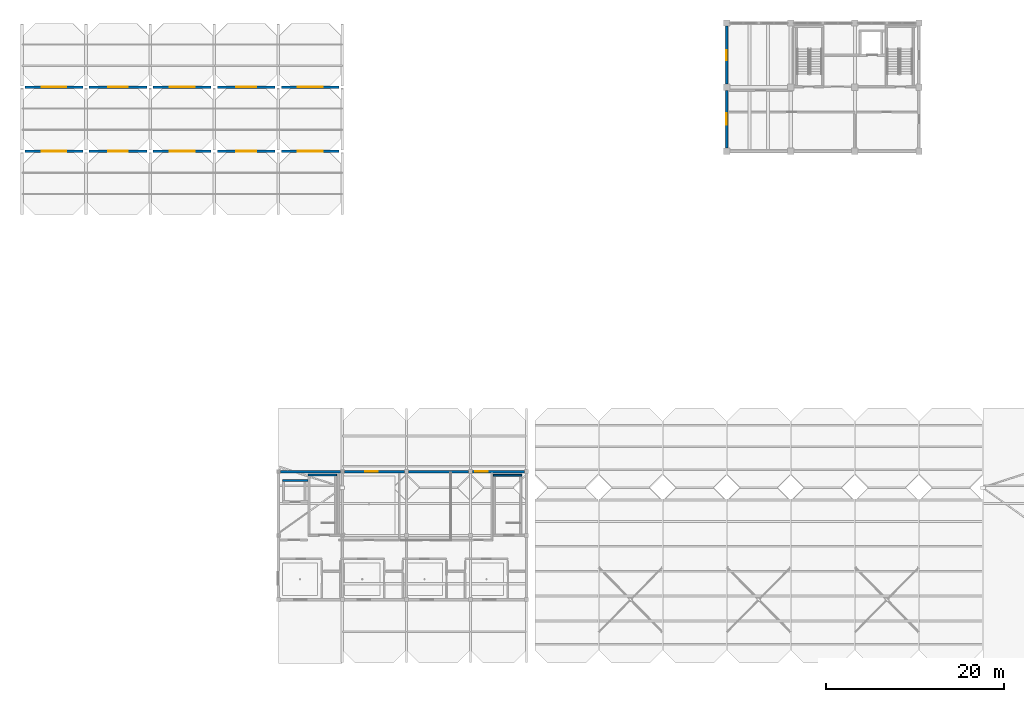
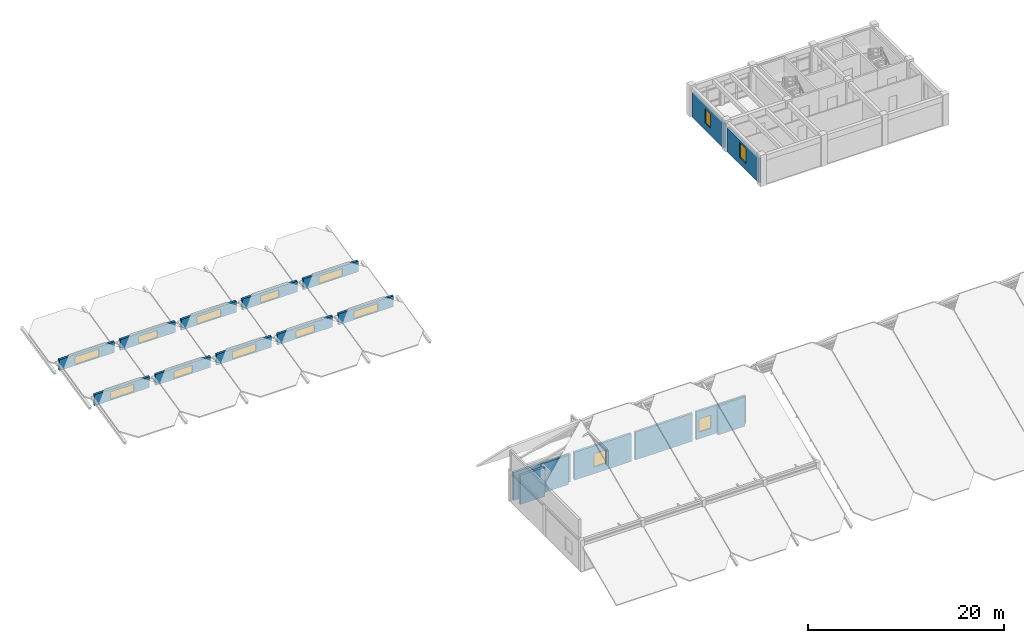
# One storey, part 40 of 54: 19 walls, 14 windows, 14 openings.
"""IFC4 building model written with IfcOpenShell, lengths in metres."""

from ifc_helpers import new_model, si_unit, direction, frame, frame_2d, origin, place, context, subcontext, project, spatial, rectangle, extrude, material, layer, layer_set, type_object, element, fill, save


model = new_model("IFC4")

# Units and contexts
model_context = context("Model", 3, precision=1e-05, world=origin(), true_north=direction((0.0, 1.0)))
body_context = subcontext(model_context, "Body", "Model", "MODEL_VIEW")
ifc_project = project(units=[si_unit("LENGTHUNIT", "METRE"), si_unit("AREAUNIT", "SQUARE_METRE"), si_unit("VOLUMEUNIT", "CUBIC_METRE"), si_unit("PLANEANGLEUNIT", "RADIAN"), si_unit("MASSUNIT", "GRAM", prefix="KILO")], contexts=[model_context])

# Site, building, storey
site_placement = place(None, origin())
site = spatial("IfcSite", under=ifc_project, at=site_placement, CompositionType="ELEMENT")
building_placement = place(site_placement, origin())
building = spatial("IfcBuilding", under=site, at=building_placement, Name="Koriwan Promenade Central Fire Station", CompositionType="ELEMENT")
storey_placement = place(building_placement, frame((0.0, 0.0, 9.60009765625)))
storey = spatial("IfcBuildingStorey", under=building, at=storey_placement, Name="L02", CompositionType="ELEMENT", Elevation=9.60009765625)

# Wall, opening, window
ifc_material_1 = material(Name="Precast concrete C40/50", Category="concrete")
ifc_layer_1 = layer(ifc_material_1, 0.280029296875, Name="Precast concrete C40/50")
ifc_layer_set_1 = layer_set([ifc_layer_1], Name="Precast concrete C40/50")
wall_type_1 = type_object("IfcWallType", Name="ExtWall_Terracotta_280", PredefinedType="ELEMENTEDWALL", material=ifc_layer_set_1)
wall_1_placement = place(storey_placement, frame((79.199951171875, 114.85009765625, 0.0), z_axis=(0.0, 0.0, 1.0), x_axis=(0.0, -1.0, 0.0)))
wall_1 = element("IfcWall", 1, at=wall_1_placement, inside=storey, type_object=wall_type_1, Name="V2 L02 exterior wall 76", PredefinedType="ELEMENTEDWALL", context=body_context, shape_type="SweptSolid", body=[
    extrude(rectangle(XDim=6.5, YDim=0.280029296875, at=frame_2d((3.25, 0.0))), origin(), (0.0, 0.0, 1.0), 3.039794921875),
])
opening_1_placement = place(wall_1_placement, frame((2.699951171875, 0.0, 0.85009765625)))
opening_1 = element("IfcOpeningElement", 2, at=opening_1_placement, cuts=wall_1, Name="Opening W-09", PredefinedType="OPENING", context=body_context, shape_type="SweptSolid", body=[
    extrude(rectangle(XDim=1.10009765625, YDim=1.75, at=frame_2d((0.550048828125, 0.875))), frame((0.0, 0.15185546875, 0.0), z_axis=(0.0, -1.0, 0.0), x_axis=(1.0, 0.0, 0.0)), (0.0, 0.0, 1.0), 0.303955078125),
])
ifc_material_2 = material(Name="Solar-control low-E laminated double glazing", Category="glass")
window_type_1 = type_object("IfcWindowType", Name="Win_Drill_1100x1750", PartitioningType="SINGLE_PANEL", PredefinedType="WINDOW", material=ifc_material_2)
window_1_placement = place(opening_1_placement, origin())
window_1 = element("IfcWindow", 3, at=window_1_placement, inside=storey, type_object=window_type_1, Name="V2 L02 window 0035", OverallHeight=1.75, OverallWidth=1.10009765625, PartitioningType="SINGLE_PANEL", PredefinedType="WINDOW", context=body_context, shape_type="SweptSolid", body=[
    extrude(rectangle(XDim=1.10009765625, YDim=1.75, at=frame_2d((0.550048828125, 0.875))), frame((0.0, 0.030029296875, 0.0), z_axis=(0.0, -1.0, 0.0), x_axis=(1.0, 0.0, 0.0)), (0.0, 0.0, 1.0), 0.06005859375),
])
fill(opening_1, window_1)

wall_2_placement = place(storey_placement, frame((79.199951171875, 107.64990234375, 0.0), z_axis=(0.0, 0.0, 1.0), x_axis=(0.0, -1.0, 0.0)))
wall_2 = element("IfcWall", 4, at=wall_2_placement, inside=storey, type_object=wall_type_1, Name="V2 L02 exterior wall 77", PredefinedType="ELEMENTEDWALL", context=body_context, shape_type="SweptSolid", body=[
    extrude(rectangle(XDim=6.5, YDim=0.280029296875, at=frame_2d((3.25, 0.0))), origin(), (0.0, 0.0, 1.0), 2.989990234375),
])
opening_2_placement = place(wall_2_placement, frame((2.60009765625, 0.0, 0.85009765625)))
opening_2 = element("IfcOpeningElement", 5, at=opening_2_placement, cuts=wall_2, Name="Opening W-10", PredefinedType="OPENING", context=body_context, shape_type="SweptSolid", body=[
    extrude(rectangle(XDim=1.300048828125, YDim=1.85009765625, at=frame_2d((0.64990234375, 0.925048828125))), frame((0.0, 0.15185546875, 0.0), z_axis=(0.0, -1.0, 0.0), x_axis=(1.0, 0.0, 0.0)), (0.0, 0.0, 1.0), 0.303955078125),
])
window_type_2 = type_object("IfcWindowType", Name="Win_Drill_1300x1850", PartitioningType="SINGLE_PANEL", PredefinedType="WINDOW", material=ifc_material_2)
window_2_placement = place(opening_2_placement, origin())
window_2 = element("IfcWindow", 6, at=window_2_placement, inside=storey, type_object=window_type_2, Name="V2 L02 window 0036", OverallHeight=1.85009765625, OverallWidth=1.300048828125, PartitioningType="SINGLE_PANEL", PredefinedType="WINDOW", context=body_context, shape_type="SweptSolid", body=[
    extrude(rectangle(XDim=1.300048828125, YDim=1.85009765625, at=frame_2d((0.64990234375, 0.925048828125))), frame((0.0, 0.030029296875, 0.0), z_axis=(0.0, -1.0, 0.0), x_axis=(1.0, 0.0, 0.0)), (0.0, 0.0, 1.0), 0.06005859375),
])
fill(opening_2, window_2)

wall_3_placement = place(storey_placement, frame((56.47509765625, 64.800048828125, 0.0), z_axis=(0.0, 0.0, 1.0), x_axis=(-1.0, 0.0, 0.0)))
wall_3 = element("IfcWall", 7, at=wall_3_placement, inside=storey, type_object=wall_type_1, Name="V4 L02 exterior wall 195", PredefinedType="ELEMENTEDWALL", context=body_context, shape_type="SweptSolid", body=[
    extrude(rectangle(XDim=5.85009765625, YDim=0.280029296875, at=frame_2d((2.925048828125, 0.0))), origin(), (0.0, 0.0, 1.0), 3.474853515625),
])
opening_3_placement = place(wall_3_placement, frame((4.112548828125, 0.0, 0.85009765625)))
opening_3 = element("IfcOpeningElement", 8, at=opening_3_placement, cuts=wall_3, Name="Opening W-07", PredefinedType="OPENING", context=body_context, shape_type="SweptSolid", body=[
    extrude(rectangle(XDim=1.39990234375, YDim=1.64990234375, at=frame_2d((0.699951171875, 0.824951171875))), frame((0.0, 0.15185546875, 0.0), z_axis=(0.0, -1.0, 0.0), x_axis=(1.0, 0.0, 0.0)), (0.0, 0.0, 1.0), 0.303955078125),
])
window_type_3 = type_object("IfcWindowType", Name="Win_Dorm_1400x1650", PartitioningType="SINGLE_PANEL", PredefinedType="WINDOW", material=ifc_material_2)
window_3_placement = place(opening_3_placement, origin())
window_3 = element("IfcWindow", 9, at=window_3_placement, inside=storey, type_object=window_type_3, Name="V4 L02 dormitory window 0077", OverallHeight=1.64990234375, OverallWidth=1.39990234375, PartitioningType="SINGLE_PANEL", PredefinedType="WINDOW", context=body_context, shape_type="SweptSolid", body=[
    extrude(rectangle(XDim=1.39990234375, YDim=1.64990234375, at=frame_2d((0.699951171875, 0.824951171875))), frame((0.0, 0.030029296875, 0.0), z_axis=(0.0, -1.0, 0.0), x_axis=(1.0, 0.0, 0.0)), (0.0, 0.0, 1.0), 0.06005859375),
])
fill(opening_3, window_3)

# Wall
wall_4_placement = place(storey_placement, frame((50.175048828125, 64.800048828125, 0.0), z_axis=(0.0, 0.0, 1.0), x_axis=(-1.0, 0.0, 0.0)))
element("IfcWall", 10, at=wall_4_placement, inside=storey, type_object=wall_type_1, Name="V4 L02 exterior wall 196", PredefinedType="ELEMENTEDWALL", context=body_context, shape_type="SweptSolid", body=[
    extrude(rectangle(XDim=6.75, YDim=0.280029296875, at=frame_2d((3.375, 0.0))), origin(), (0.0, 0.0, 1.0), 3.474853515625),
])

# Wall, opening, window
wall_5_placement = place(storey_placement, frame((42.97509765625, 64.800048828125, 0.0), z_axis=(0.0, 0.0, 1.0), x_axis=(-1.0, 0.0, 0.0)))
wall_5 = element("IfcWall", 11, at=wall_5_placement, inside=storey, type_object=wall_type_1, Name="V4 L02 exterior wall 197", PredefinedType="ELEMENTEDWALL", context=body_context, shape_type="SweptSolid", body=[
    extrude(rectangle(XDim=6.75, YDim=0.280029296875, at=frame_2d((3.375, 0.0))), origin(), (0.0, 0.0, 1.0), 3.474853515625),
])
opening_4_placement = place(wall_5_placement, frame((3.012451171875, 0.0, 0.85009765625)))
opening_4 = element("IfcOpeningElement", 12, at=opening_4_placement, cuts=wall_5, Name="Opening W-07", PredefinedType="OPENING", context=body_context, shape_type="SweptSolid", body=[
    extrude(rectangle(XDim=1.39990234375, YDim=1.64990234375, at=frame_2d((0.699951171875, 0.824951171875))), frame((0.0, 0.15185546875, 0.0), z_axis=(0.0, -1.0, 0.0), x_axis=(1.0, 0.0, 0.0)), (0.0, 0.0, 1.0), 0.303955078125),
])
window_4_placement = place(opening_4_placement, origin())
window_4 = element("IfcWindow", 13, at=window_4_placement, inside=storey, type_object=window_type_3, Name="V4 L02 dormitory window 0078", OverallHeight=1.64990234375, OverallWidth=1.39990234375, PartitioningType="SINGLE_PANEL", PredefinedType="WINDOW", context=body_context, shape_type="SweptSolid", body=[
    extrude(rectangle(XDim=1.39990234375, YDim=1.64990234375, at=frame_2d((0.699951171875, 0.824951171875))), frame((0.0, 0.030029296875, 0.0), z_axis=(0.0, -1.0, 0.0), x_axis=(1.0, 0.0, 0.0)), (0.0, 0.0, 1.0), 0.06005859375),
])
fill(opening_4, window_4)

# Wall
wall_6_placement = place(storey_placement, frame((35.77490234375, 64.800048828125, 0.0), z_axis=(0.0, 0.0, 1.0), x_axis=(-1.0, 0.0, 0.0)))
element("IfcWall", 14, at=wall_6_placement, inside=storey, type_object=wall_type_1, Name="V4 L02 exterior wall 198", PredefinedType="ELEMENTEDWALL", context=body_context, shape_type="SweptSolid", body=[
    extrude(rectangle(XDim=6.75, YDim=0.280029296875, at=frame_2d((3.375, 0.0))), origin(), (0.0, 0.0, 1.0), 3.474853515625),
])

# Wall, opening, window
ifc_layer_2 = layer(ifc_material_1, 0.260009765625, Name="Precast concrete C40/50")
ifc_layer_set_2 = layer_set([ifc_layer_2], Name="Precast concrete C40/50")
wall_type_2 = type_object("IfcWallType", Name="ExtWall_WorkshopRed_260", PredefinedType="STANDARD", material=ifc_layer_set_2)
wall_7_placement = place(storey_placement, frame((0.35009765625, 100.800048828125, 0.039794921875), z_axis=(0.0, 0.0, 1.0), x_axis=(1.0, 0.0, 0.0)))
wall_7 = element("IfcWall", 15, at=wall_7_placement, inside=storey, type_object=wall_type_2, Name="V6 sawtooth north-light wall 1-1", PredefinedType="STANDARD", context=body_context, shape_type="SweptSolid", body=[
    extrude(rectangle(XDim=6.5, YDim=0.260009765625, at=frame_2d((3.25, 0.0))), origin(), (0.0, 0.0, 1.0), 1.360107421875),
])
opening_5_placement = place(wall_7_placement, frame((1.85009765625, 0.0, 0.1201171875)))
opening_5 = element("IfcOpeningElement", 16, at=opening_5_placement, cuts=wall_7, Name="Opening SK-01", PredefinedType="OPENING", context=body_context, shape_type="SweptSolid", body=[
    extrude(rectangle(XDim=2.800048828125, YDim=0.949951171875, at=frame_2d((1.39990234375, 0.47509765625))), frame((0.0, 0.14208984375, 0.0), z_axis=(0.0, -1.0, 0.0), x_axis=(1.0, 0.0, 0.0)), (0.0, 0.0, 1.0), 0.283935546875),
])
window_type_4 = type_object("IfcWindowType", Name="Skylight_Sawtooth_2800x950", PartitioningType="SINGLE_PANEL", PredefinedType="SKYLIGHT", material=ifc_material_2)
window_5_placement = place(opening_5_placement, origin())
window_5 = element("IfcWindow", 17, at=window_5_placement, inside=storey, type_object=window_type_4, Name="V6 sawtooth north-light skylight 1-1", OverallHeight=0.949951171875, OverallWidth=2.800048828125, PartitioningType="SINGLE_PANEL", PredefinedType="SKYLIGHT", context=body_context, shape_type="SweptSolid", body=[
    extrude(rectangle(XDim=2.800048828125, YDim=0.949951171875, at=frame_2d((1.39990234375, 0.47509765625))), frame((0.0, 0.030029296875, 0.0), z_axis=(0.0, -1.0, 0.0), x_axis=(1.0, 0.0, 0.0)), (0.0, 0.0, 1.0), 0.06005859375),
])
fill(opening_5, window_5)

wall_8_placement = place(storey_placement, frame((0.35009765625, 108.0, 0.039794921875), z_axis=(0.0, 0.0, 1.0), x_axis=(1.0, 0.0, 0.0)))
wall_8 = element("IfcWall", 18, at=wall_8_placement, inside=storey, type_object=wall_type_2, Name="V6 sawtooth north-light wall 1-2", PredefinedType="STANDARD", context=body_context, shape_type="SweptSolid", body=[
    extrude(rectangle(XDim=6.5, YDim=0.260009765625, at=frame_2d((3.25, 0.0))), origin(), (0.0, 0.0, 1.0), 1.360107421875),
])
opening_6_placement = place(wall_8_placement, frame((1.85009765625, 0.0, 0.1201171875)))
opening_6 = element("IfcOpeningElement", 19, at=opening_6_placement, cuts=wall_8, Name="Opening SK-01", PredefinedType="OPENING", context=body_context, shape_type="SweptSolid", body=[
    extrude(rectangle(XDim=2.800048828125, YDim=0.949951171875, at=frame_2d((1.39990234375, 0.47509765625))), frame((0.0, 0.14208984375, 0.0), z_axis=(0.0, -1.0, 0.0), x_axis=(1.0, 0.0, 0.0)), (0.0, 0.0, 1.0), 0.283935546875),
])
window_6_placement = place(opening_6_placement, origin())
window_6 = element("IfcWindow", 20, at=window_6_placement, inside=storey, type_object=window_type_4, Name="V6 sawtooth north-light skylight 1-2", OverallHeight=0.949951171875, OverallWidth=2.800048828125, PartitioningType="SINGLE_PANEL", PredefinedType="SKYLIGHT", context=body_context, shape_type="SweptSolid", body=[
    extrude(rectangle(XDim=2.800048828125, YDim=0.949951171875, at=frame_2d((1.39990234375, 0.47509765625))), frame((0.0, 0.030029296875, 0.0), z_axis=(0.0, -1.0, 0.0), x_axis=(1.0, 0.0, 0.0)), (0.0, 0.0, 1.0), 0.06005859375),
])
fill(opening_6, window_6)

wall_9_placement = place(storey_placement, frame((7.550048828125, 100.800048828125, 0.039794921875), z_axis=(0.0, 0.0, 1.0), x_axis=(1.0, 0.0, 0.0)))
wall_9 = element("IfcWall", 21, at=wall_9_placement, inside=storey, type_object=wall_type_2, Name="V6 sawtooth north-light wall 2-1", PredefinedType="STANDARD", context=body_context, shape_type="SweptSolid", body=[
    extrude(rectangle(XDim=6.5, YDim=0.260009765625, at=frame_2d((3.25, 0.0))), origin(), (0.0, 0.0, 1.0), 1.360107421875),
])
opening_7_placement = place(wall_9_placement, frame((2.14990234375, 0.0, 0.1201171875)))
opening_7 = element("IfcOpeningElement", 22, at=opening_7_placement, cuts=wall_9, Name="Opening SK-02", PredefinedType="OPENING", context=body_context, shape_type="SweptSolid", body=[
    extrude(rectangle(XDim=2.199951171875, YDim=0.89990234375, at=frame_2d((1.10009765625, 0.449951171875))), frame((0.0, 0.14208984375, 0.0), z_axis=(0.0, -1.0, 0.0), x_axis=(1.0, 0.0, 0.0)), (0.0, 0.0, 1.0), 0.283935546875),
])
window_type_5 = type_object("IfcWindowType", Name="Skylight_Clerestory_2200x900", PartitioningType="SINGLE_PANEL", PredefinedType="SKYLIGHT", material=ifc_material_2)
window_7_placement = place(opening_7_placement, origin())
window_7 = element("IfcWindow", 23, at=window_7_placement, inside=storey, type_object=window_type_5, Name="V6 sawtooth north-light skylight 2-1", OverallHeight=0.89990234375, OverallWidth=2.199951171875, PartitioningType="SINGLE_PANEL", PredefinedType="SKYLIGHT", context=body_context, shape_type="SweptSolid", body=[
    extrude(rectangle(XDim=2.199951171875, YDim=0.89990234375, at=frame_2d((1.10009765625, 0.449951171875))), frame((0.0, 0.030029296875, 0.0), z_axis=(0.0, -1.0, 0.0), x_axis=(1.0, 0.0, 0.0)), (0.0, 0.0, 1.0), 0.06005859375),
])
fill(opening_7, window_7)

wall_10_placement = place(storey_placement, frame((7.550048828125, 108.0, 0.039794921875), z_axis=(0.0, 0.0, 1.0), x_axis=(1.0, 0.0, 0.0)))
wall_10 = element("IfcWall", 24, at=wall_10_placement, inside=storey, type_object=wall_type_2, Name="V6 sawtooth north-light wall 2-2", PredefinedType="STANDARD", context=body_context, shape_type="SweptSolid", body=[
    extrude(rectangle(XDim=6.5, YDim=0.260009765625, at=frame_2d((3.25, 0.0))), origin(), (0.0, 0.0, 1.0), 1.360107421875),
])
opening_8_placement = place(wall_10_placement, frame((2.14990234375, 0.0, 0.1201171875)))
opening_8 = element("IfcOpeningElement", 25, at=opening_8_placement, cuts=wall_10, Name="Opening SK-02", PredefinedType="OPENING", context=body_context, shape_type="SweptSolid", body=[
    extrude(rectangle(XDim=2.199951171875, YDim=0.89990234375, at=frame_2d((1.10009765625, 0.449951171875))), frame((0.0, 0.14208984375, 0.0), z_axis=(0.0, -1.0, 0.0), x_axis=(1.0, 0.0, 0.0)), (0.0, 0.0, 1.0), 0.283935546875),
])
window_8_placement = place(opening_8_placement, origin())
window_8 = element("IfcWindow", 26, at=window_8_placement, inside=storey, type_object=window_type_5, Name="V6 sawtooth north-light skylight 2-2", OverallHeight=0.89990234375, OverallWidth=2.199951171875, PartitioningType="SINGLE_PANEL", PredefinedType="SKYLIGHT", context=body_context, shape_type="SweptSolid", body=[
    extrude(rectangle(XDim=2.199951171875, YDim=0.89990234375, at=frame_2d((1.10009765625, 0.449951171875))), frame((0.0, 0.030029296875, 0.0), z_axis=(0.0, -1.0, 0.0), x_axis=(1.0, 0.0, 0.0)), (0.0, 0.0, 1.0), 0.06005859375),
])
fill(opening_8, window_8)

wall_11_placement = place(storey_placement, frame((14.75, 100.800048828125, 0.039794921875), z_axis=(0.0, 0.0, 1.0), x_axis=(1.0, 0.0, 0.0)))
wall_11 = element("IfcWall", 27, at=wall_11_placement, inside=storey, type_object=wall_type_2, Name="V6 sawtooth north-light wall 3-1", PredefinedType="STANDARD", context=body_context, shape_type="SweptSolid", body=[
    extrude(rectangle(XDim=6.5, YDim=0.260009765625, at=frame_2d((3.25, 0.0))), origin(), (0.0, 0.0, 1.0), 1.360107421875),
])
opening_9_placement = place(wall_11_placement, frame((1.85009765625, 0.0, 0.1201171875)))
opening_9 = element("IfcOpeningElement", 28, at=opening_9_placement, cuts=wall_11, Name="Opening SK-01", PredefinedType="OPENING", context=body_context, shape_type="SweptSolid", body=[
    extrude(rectangle(XDim=2.800048828125, YDim=0.949951171875, at=frame_2d((1.39990234375, 0.47509765625))), frame((0.0, 0.14208984375, 0.0), z_axis=(0.0, -1.0, 0.0), x_axis=(1.0, 0.0, 0.0)), (0.0, 0.0, 1.0), 0.283935546875),
])
window_9_placement = place(opening_9_placement, origin())
window_9 = element("IfcWindow", 29, at=window_9_placement, inside=storey, type_object=window_type_4, Name="V6 sawtooth north-light skylight 3-1", OverallHeight=0.949951171875, OverallWidth=2.800048828125, PartitioningType="SINGLE_PANEL", PredefinedType="SKYLIGHT", context=body_context, shape_type="SweptSolid", body=[
    extrude(rectangle(XDim=2.800048828125, YDim=0.949951171875, at=frame_2d((1.39990234375, 0.47509765625))), frame((0.0, 0.030029296875, 0.0), z_axis=(0.0, -1.0, 0.0), x_axis=(1.0, 0.0, 0.0)), (0.0, 0.0, 1.0), 0.06005859375),
])
fill(opening_9, window_9)

wall_12_placement = place(storey_placement, frame((14.75, 108.0, 0.039794921875), z_axis=(0.0, 0.0, 1.0), x_axis=(1.0, 0.0, 0.0)))
wall_12 = element("IfcWall", 30, at=wall_12_placement, inside=storey, type_object=wall_type_2, Name="V6 sawtooth north-light wall 3-2", PredefinedType="STANDARD", context=body_context, shape_type="SweptSolid", body=[
    extrude(rectangle(XDim=6.5, YDim=0.260009765625, at=frame_2d((3.25, 0.0))), origin(), (0.0, 0.0, 1.0), 1.360107421875),
])
opening_10_placement = place(wall_12_placement, frame((1.85009765625, 0.0, 0.1201171875)))
opening_10 = element("IfcOpeningElement", 31, at=opening_10_placement, cuts=wall_12, Name="Opening SK-01", PredefinedType="OPENING", context=body_context, shape_type="SweptSolid", body=[
    extrude(rectangle(XDim=2.800048828125, YDim=0.949951171875, at=frame_2d((1.39990234375, 0.47509765625))), frame((0.0, 0.14208984375, 0.0), z_axis=(0.0, -1.0, 0.0), x_axis=(1.0, 0.0, 0.0)), (0.0, 0.0, 1.0), 0.283935546875),
])
window_10_placement = place(opening_10_placement, origin())
window_10 = element("IfcWindow", 32, at=window_10_placement, inside=storey, type_object=window_type_4, Name="V6 sawtooth north-light skylight 3-2", OverallHeight=0.949951171875, OverallWidth=2.800048828125, PartitioningType="SINGLE_PANEL", PredefinedType="SKYLIGHT", context=body_context, shape_type="SweptSolid", body=[
    extrude(rectangle(XDim=2.800048828125, YDim=0.949951171875, at=frame_2d((1.39990234375, 0.47509765625))), frame((0.0, 0.030029296875, 0.0), z_axis=(0.0, -1.0, 0.0), x_axis=(1.0, 0.0, 0.0)), (0.0, 0.0, 1.0), 0.06005859375),
])
fill(opening_10, window_10)

wall_13_placement = place(storey_placement, frame((21.949951171875, 100.800048828125, 0.039794921875), z_axis=(0.0, 0.0, 1.0), x_axis=(1.0, 0.0, 0.0)))
wall_13 = element("IfcWall", 33, at=wall_13_placement, inside=storey, type_object=wall_type_2, Name="V6 sawtooth north-light wall 4-1", PredefinedType="STANDARD", context=body_context, shape_type="SweptSolid", body=[
    extrude(rectangle(XDim=6.5, YDim=0.260009765625, at=frame_2d((3.25, 0.0))), origin(), (0.0, 0.0, 1.0), 1.360107421875),
])
opening_11_placement = place(wall_13_placement, frame((2.14990234375, 0.0, 0.1201171875)))
opening_11 = element("IfcOpeningElement", 34, at=opening_11_placement, cuts=wall_13, Name="Opening SK-02", PredefinedType="OPENING", context=body_context, shape_type="SweptSolid", body=[
    extrude(rectangle(XDim=2.199951171875, YDim=0.89990234375, at=frame_2d((1.10009765625, 0.449951171875))), frame((0.0, 0.14208984375, 0.0), z_axis=(0.0, -1.0, 0.0), x_axis=(1.0, 0.0, 0.0)), (0.0, 0.0, 1.0), 0.283935546875),
])
window_11_placement = place(opening_11_placement, origin())
window_11 = element("IfcWindow", 35, at=window_11_placement, inside=storey, type_object=window_type_5, Name="V6 sawtooth north-light skylight 4-1", OverallHeight=0.89990234375, OverallWidth=2.199951171875, PartitioningType="SINGLE_PANEL", PredefinedType="SKYLIGHT", context=body_context, shape_type="SweptSolid", body=[
    extrude(rectangle(XDim=2.199951171875, YDim=0.89990234375, at=frame_2d((1.10009765625, 0.449951171875))), frame((0.0, 0.030029296875, 0.0), z_axis=(0.0, -1.0, 0.0), x_axis=(1.0, 0.0, 0.0)), (0.0, 0.0, 1.0), 0.06005859375),
])
fill(opening_11, window_11)

wall_14_placement = place(storey_placement, frame((21.949951171875, 108.0, 0.039794921875), z_axis=(0.0, 0.0, 1.0), x_axis=(1.0, 0.0, 0.0)))
wall_14 = element("IfcWall", 36, at=wall_14_placement, inside=storey, type_object=wall_type_2, Name="V6 sawtooth north-light wall 4-2", PredefinedType="STANDARD", context=body_context, shape_type="SweptSolid", body=[
    extrude(rectangle(XDim=6.5, YDim=0.260009765625, at=frame_2d((3.25, 0.0))), origin(), (0.0, 0.0, 1.0), 1.360107421875),
])
opening_12_placement = place(wall_14_placement, frame((2.14990234375, 0.0, 0.1201171875)))
opening_12 = element("IfcOpeningElement", 37, at=opening_12_placement, cuts=wall_14, Name="Opening SK-02", PredefinedType="OPENING", context=body_context, shape_type="SweptSolid", body=[
    extrude(rectangle(XDim=2.199951171875, YDim=0.89990234375, at=frame_2d((1.10009765625, 0.449951171875))), frame((0.0, 0.14208984375, 0.0), z_axis=(0.0, -1.0, 0.0), x_axis=(1.0, 0.0, 0.0)), (0.0, 0.0, 1.0), 0.283935546875),
])
window_12_placement = place(opening_12_placement, origin())
window_12 = element("IfcWindow", 38, at=window_12_placement, inside=storey, type_object=window_type_5, Name="V6 sawtooth north-light skylight 4-2", OverallHeight=0.89990234375, OverallWidth=2.199951171875, PartitioningType="SINGLE_PANEL", PredefinedType="SKYLIGHT", context=body_context, shape_type="SweptSolid", body=[
    extrude(rectangle(XDim=2.199951171875, YDim=0.89990234375, at=frame_2d((1.10009765625, 0.449951171875))), frame((0.0, 0.030029296875, 0.0), z_axis=(0.0, -1.0, 0.0), x_axis=(1.0, 0.0, 0.0)), (0.0, 0.0, 1.0), 0.06005859375),
])
fill(opening_12, window_12)

wall_15_placement = place(storey_placement, frame((29.14990234375, 100.800048828125, 0.039794921875), z_axis=(0.0, 0.0, 1.0), x_axis=(1.0, 0.0, 0.0)))
wall_15 = element("IfcWall", 39, at=wall_15_placement, inside=storey, type_object=wall_type_2, Name="V6 sawtooth north-light wall 5-1", PredefinedType="STANDARD", context=body_context, shape_type="SweptSolid", body=[
    extrude(rectangle(XDim=6.5, YDim=0.260009765625, at=frame_2d((3.25, 0.0))), origin(), (0.0, 0.0, 1.0), 1.360107421875),
])
opening_13_placement = place(wall_15_placement, frame((1.85009765625, 0.0, 0.1201171875)))
opening_13 = element("IfcOpeningElement", 40, at=opening_13_placement, cuts=wall_15, Name="Opening SK-01", PredefinedType="OPENING", context=body_context, shape_type="SweptSolid", body=[
    extrude(rectangle(XDim=2.800048828125, YDim=0.949951171875, at=frame_2d((1.39990234375, 0.47509765625))), frame((0.0, 0.14208984375, 0.0), z_axis=(0.0, -1.0, 0.0), x_axis=(1.0, 0.0, 0.0)), (0.0, 0.0, 1.0), 0.283935546875),
])
window_13_placement = place(opening_13_placement, origin())
window_13 = element("IfcWindow", 41, at=window_13_placement, inside=storey, type_object=window_type_4, Name="V6 sawtooth north-light skylight 5-1", OverallHeight=0.949951171875, OverallWidth=2.800048828125, PartitioningType="SINGLE_PANEL", PredefinedType="SKYLIGHT", context=body_context, shape_type="SweptSolid", body=[
    extrude(rectangle(XDim=2.800048828125, YDim=0.949951171875, at=frame_2d((1.39990234375, 0.47509765625))), frame((0.0, 0.030029296875, 0.0), z_axis=(0.0, -1.0, 0.0), x_axis=(1.0, 0.0, 0.0)), (0.0, 0.0, 1.0), 0.06005859375),
])
fill(opening_13, window_13)

wall_16_placement = place(storey_placement, frame((29.14990234375, 108.0, 0.039794921875), z_axis=(0.0, 0.0, 1.0), x_axis=(1.0, 0.0, 0.0)))
wall_16 = element("IfcWall", 42, at=wall_16_placement, inside=storey, type_object=wall_type_2, Name="V6 sawtooth north-light wall 5-2", PredefinedType="STANDARD", context=body_context, shape_type="SweptSolid", body=[
    extrude(rectangle(XDim=6.5, YDim=0.260009765625, at=frame_2d((3.25, 0.0))), origin(), (0.0, 0.0, 1.0), 1.360107421875),
])
opening_14_placement = place(wall_16_placement, frame((1.85009765625, 0.0, 0.1201171875)))
opening_14 = element("IfcOpeningElement", 43, at=opening_14_placement, cuts=wall_16, Name="Opening SK-01", PredefinedType="OPENING", context=body_context, shape_type="SweptSolid", body=[
    extrude(rectangle(XDim=2.800048828125, YDim=0.949951171875, at=frame_2d((1.39990234375, 0.47509765625))), frame((0.0, 0.14208984375, 0.0), z_axis=(0.0, -1.0, 0.0), x_axis=(1.0, 0.0, 0.0)), (0.0, 0.0, 1.0), 0.283935546875),
])
window_14_placement = place(opening_14_placement, origin())
window_14 = element("IfcWindow", 44, at=window_14_placement, inside=storey, type_object=window_type_4, Name="V6 sawtooth north-light skylight 5-2", OverallHeight=0.949951171875, OverallWidth=2.800048828125, PartitioningType="SINGLE_PANEL", PredefinedType="SKYLIGHT", context=body_context, shape_type="SweptSolid", body=[
    extrude(rectangle(XDim=2.800048828125, YDim=0.949951171875, at=frame_2d((1.39990234375, 0.47509765625))), frame((0.0, 0.030029296875, 0.0), z_axis=(0.0, -1.0, 0.0), x_axis=(1.0, 0.0, 0.0)), (0.0, 0.0, 1.0), 0.06005859375),
])
fill(opening_14, window_14)

# Walls
ifc_material_3 = material(Name="Concrete C40/50", Category="concrete")
ifc_layer_3 = layer(ifc_material_3, 0.199951171875, Name="Concrete C40/50")
ifc_layer_set_3 = layer_set([ifc_layer_3], Name="Concrete C40/50")
wall_type_3 = type_object("IfcWallType", Name="ShearWall_200", PredefinedType="SHEAR", material=ifc_layer_set_3)
wall_17_placement = place(storey_placement, frame((32.159912109375, 64.409912109375, 0.0), z_axis=(0.0, 0.0, 1.0), x_axis=(1.0, 0.0, 0.0)))
element("IfcWall", 45, at=wall_17_placement, inside=storey, type_object=wall_type_3, Name="ST18 L02 structural stair wall N", PredefinedType="SHEAR", context=body_context, shape_type="SweptSolid", body=[
    extrude(rectangle(XDim=3.190185546875, YDim=0.199951171875, at=frame_2d((1.59521484375, 0.0))), origin(), (0.0, 0.0, 1.0), 3.64990234375),
])
wall_18_placement = place(storey_placement, frame((52.97998046875, 64.389892578125, 0.0), z_axis=(0.0, 0.0, 1.0), x_axis=(1.0, 0.0, 0.0)))
element("IfcWall", 46, at=wall_18_placement, inside=storey, type_object=wall_type_3, Name="ST20 L02 structural stair wall N", PredefinedType="SHEAR", context=body_context, shape_type="SweptSolid", body=[
    extrude(rectangle(XDim=3.169921875, YDim=0.199951171875, at=frame_2d((1.5849609375, 0.0))), origin(), (0.0, 0.0, 1.0), 3.64990234375),
])
ifc_layer_4 = layer(ifc_material_3, 0.25, Name="Concrete C40/50")
ifc_layer_set_4 = layer_set([ifc_layer_4], Name="Concrete C40/50")
wall_type_4 = type_object("IfcWallType", Name="ShearWall_250", PredefinedType="SHEAR", material=ifc_layer_set_4)
wall_19_placement = place(storey_placement, frame((29.27490234375, 63.800048828125, 0.0), z_axis=(0.0, 0.0, 1.0), x_axis=(1.0, 0.0, 0.0)))
element("IfcWall", 47, at=wall_19_placement, inside=storey, type_object=wall_type_4, Name="LP02 shaft wall N (L02)", PredefinedType="SHEAR", context=body_context, shape_type="SweptSolid", body=[
    extrude(rectangle(XDim=2.885009765625, YDim=0.25, at=frame_2d((1.4423828125, 0.0))), origin(), (0.0, 0.0, 1.0), 3.64990234375),
])

save(model, "model.ifc")
